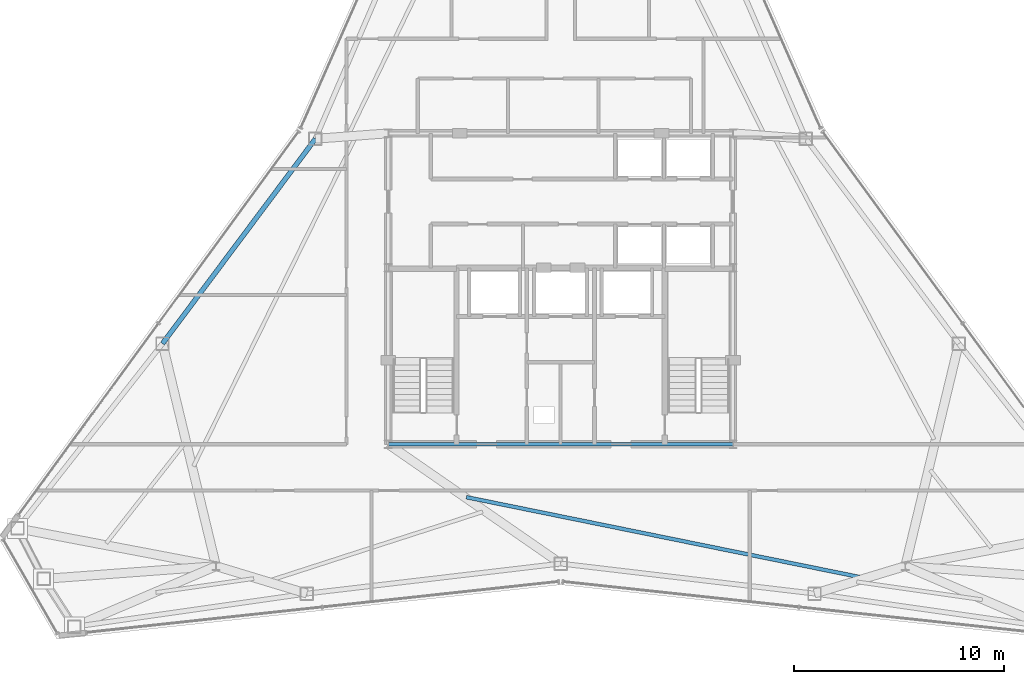
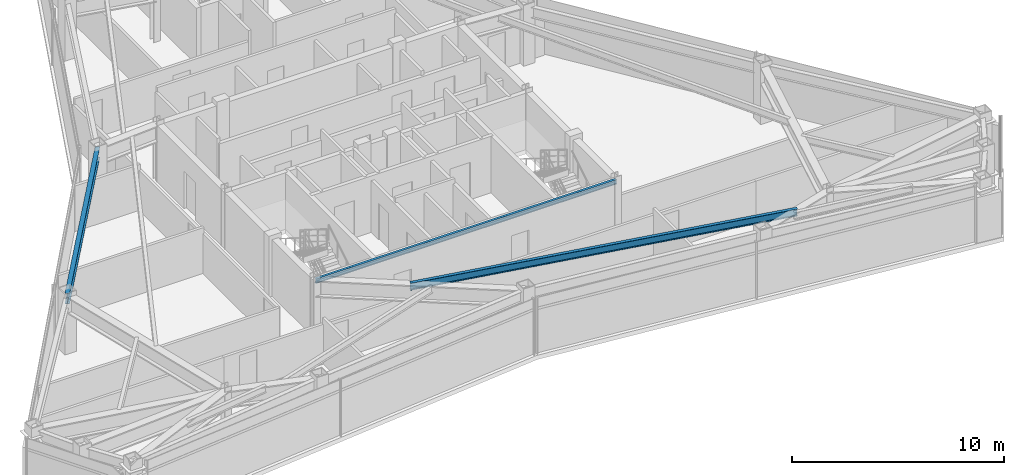
# One storey, part 4 of 12: 3 beams.
"""IFC4 building model written with IfcOpenShell, lengths in metres."""

from ifc_helpers import new_model, si_unit, direction, frame, origin, origin_2d, place, context, subcontext, project, spatial, i_section, extrude, material, material_profile, profile_set, type_object, element, save


model = new_model("IFC4")

# Units and contexts
model_context = context("Model", 3, precision=1e-05, world=origin(), true_north=direction((0.0, 1.0)))
body_context = subcontext(model_context, "Body", "Model", "MODEL_VIEW")
ifc_project = project(units=[si_unit("LENGTHUNIT", "METRE"), si_unit("AREAUNIT", "SQUARE_METRE"), si_unit("VOLUMEUNIT", "CUBIC_METRE"), si_unit("PLANEANGLEUNIT", "RADIAN"), si_unit("MASSUNIT", "GRAM", prefix="KILO")], contexts=[model_context])

# Site, building, storey
site_placement = place(None, origin())
site = spatial("IfcSite", under=ifc_project, at=site_placement, CompositionType="ELEMENT")
building_placement = place(site_placement, origin())
building = spatial("IfcBuilding", under=site, at=building_placement, Name="Varakhsha Concourse Tower", CompositionType="ELEMENT")
storey_placement = place(building_placement, frame((0.0, 0.0, 265.5)))
storey = spatial("IfcBuildingStorey", under=building, at=storey_placement, Name="L75", CompositionType="ELEMENT", Elevation=265.5)

# Beams
ifc_material = material(Name="Structural Steel ASTM A992 Grade 50", Category="steel")
ifc_material_profile_1 = material_profile(ifc_material, i_section(OverallWidth=0.177978515625, OverallDepth=0.406982421875, WebThickness=0.008056640625, FlangeThickness=0.012939453125, at=origin_2d()), Name="W16X40")
ifc_profile_set_1 = profile_set([ifc_material_profile_1], Name="Structural Steel ASTM A992 Grade 50")
beam_type_1 = type_object("IfcBeamType", Name="BM-JST-W16X40", PredefinedType="JOIST", material=ifc_profile_set_1)
beam_1_placement = place(storey_placement, frame((35.515869140625, 13.880615234375, 3.04638671875), z_axis=(0.979996243365, -0.199015986769, 0.0), x_axis=(0.199015986769, 0.979996243365, 0.0)))
element("IfcBeam", 1, at=beam_1_placement, inside=storey, type_object=beam_type_1, Name="BM-TJST-L75-11", PredefinedType="JOIST", context=body_context, shape_type="SweptSolid", body=[
    extrude(i_section(OverallWidth=0.177978515625, OverallDepth=0.406982421875, WebThickness=0.008056640625, FlangeThickness=0.012939453125, at=origin_2d()), origin(), (0.0, 0.0, 1.0), 19.260986328125),
])
ifc_material_profile_2 = material_profile(ifc_material, i_section(OverallWidth=0.14697265625, OverallDepth=0.261962890625, WebThickness=0.007080078125, FlangeThickness=0.010986328125, at=origin_2d()), Name="W10X26")
ifc_profile_set_2 = profile_set([ifc_material_profile_2], Name="Structural Steel ASTM A992 Grade 50")
beam_type_2 = type_object("IfcBeamType", Name="BM-LNTL-W10X26", PredefinedType="LINTEL", material=ifc_profile_set_2)
beam_2_placement = place(storey_placement, frame((31.800048828125, 16.39990234375, 3.118896484375), z_axis=(1.0, 0.0, 0.0), x_axis=(0.0, 1.0, 0.0)))
element("IfcBeam", 2, at=beam_2_placement, inside=storey, type_object=beam_type_2, Name="BM-TCORE-L75-CS", PredefinedType="LINTEL", context=body_context, shape_type="SweptSolid", body=[
    extrude(i_section(OverallWidth=0.14697265625, OverallDepth=0.261962890625, WebThickness=0.007080078125, FlangeThickness=0.010986328125, at=origin_2d()), origin(), (0.0, 0.0, 1.0), 16.39990234375),
])
ifc_material_profile_3 = material_profile(ifc_material, i_section(OverallWidth=0.22900390625, OverallDepth=0.612060546875, WebThickness=0.011962890625, FlangeThickness=0.02001953125, at=origin_2d()), Name="W24X84")
ifc_profile_set_3 = profile_set([ifc_material_profile_3], Name="Structural Steel ASTM A992 Grade 50")
beam_type_3 = type_object("IfcBeamType", Name="BM-SPAN-W24X84", PredefinedType="SPANDREL", material=ifc_profile_set_3)
beam_3_placement = place(storey_placement, frame((28.3291015625, 30.938232421875, 2.944091796875), z_axis=(-0.598316034428, -0.801260209262, 0.0), x_axis=(0.801260209262, -0.598316034428, 0.0)))
element("IfcBeam", 3, at=beam_3_placement, inside=storey, type_object=beam_type_3, Name="BM-SPAN-L75-05", PredefinedType="SPANDREL", context=body_context, shape_type="SweptSolid", body=[
    extrude(i_section(OverallWidth=0.22900390625, OverallDepth=0.612060546875, WebThickness=0.011962890625, FlangeThickness=0.02001953125, at=origin_2d()), origin(), (0.0, 0.0, 1.0), 12.164794921875),
])

save(model, "model.ifc")
